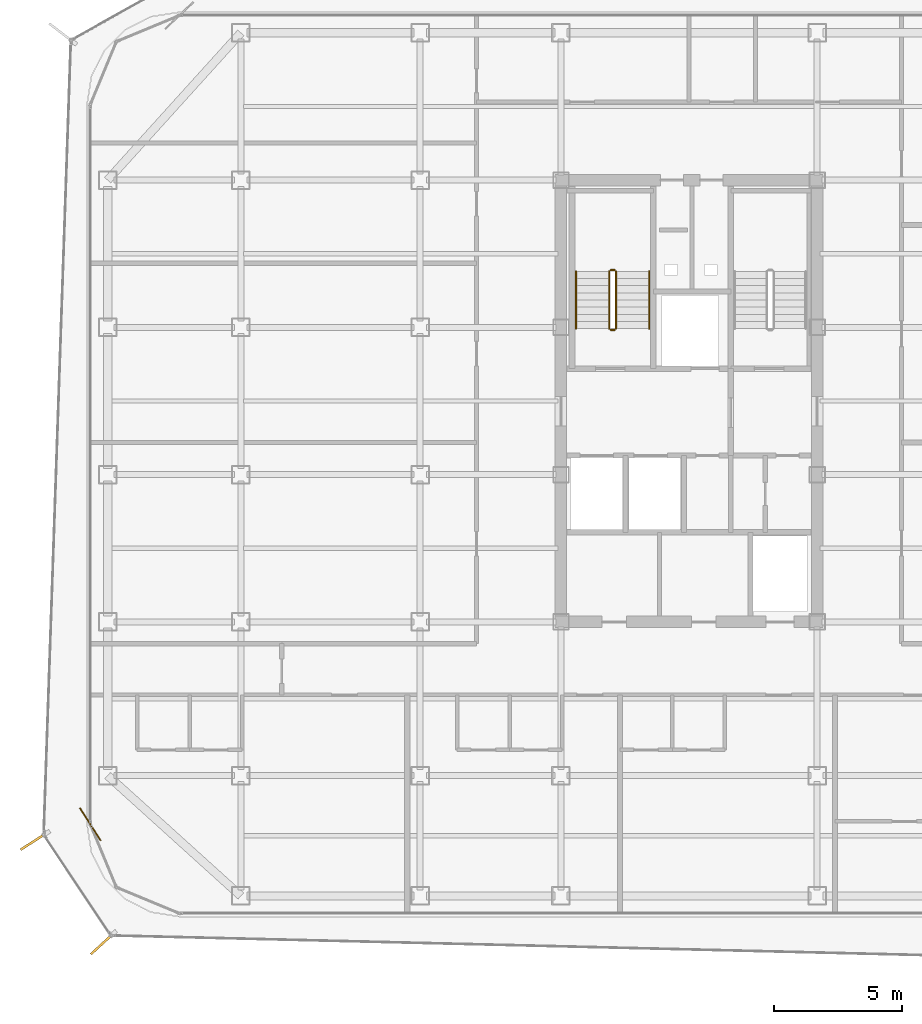
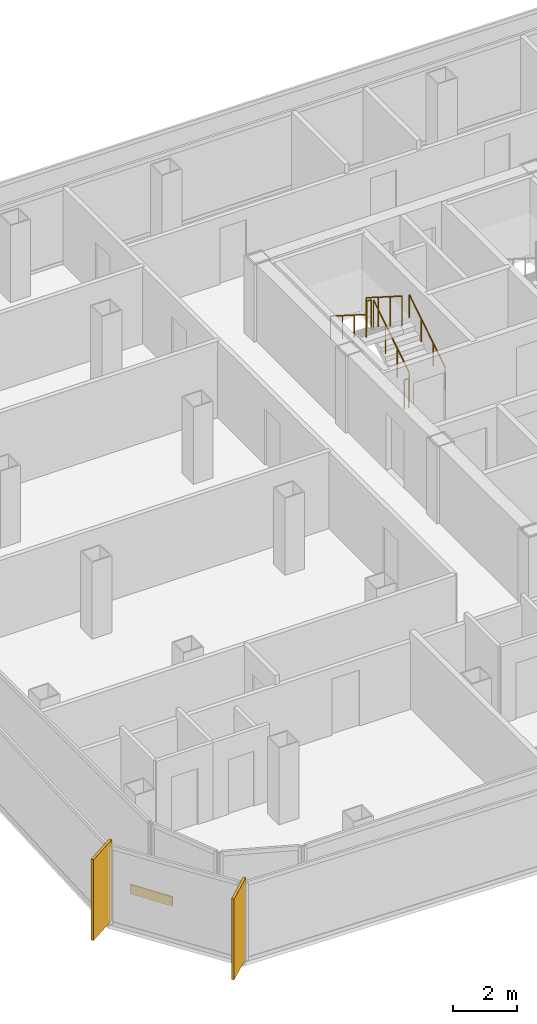
# One storey, part 13 of 15: 6 railings, 2 shading devices, 1 covering.
"""IFC4 building model written with IfcOpenShell, lengths in metres."""

from ifc_helpers import new_model, si_unit, direction, frame, origin, origin_2d, place, context, subcontext, project, spatial, rectangle, circle, extrude, source, transform, mapped, material, layer, layer_set, type_object, element, save


model = new_model("IFC4")

# Units and contexts
model_context = context("Model", 3, precision=1e-05, world=origin(), true_north=direction((0.0, 1.0)))
body_context = subcontext(model_context, "Body", "Model", "MODEL_VIEW")
ifc_project = project(units=[si_unit("LENGTHUNIT", "METRE"), si_unit("AREAUNIT", "SQUARE_METRE"), si_unit("VOLUMEUNIT", "CUBIC_METRE"), si_unit("PLANEANGLEUNIT", "RADIAN"), si_unit("MASSUNIT", "GRAM", prefix="KILO")], contexts=[model_context])

# Site, building, storey
site_placement = place(None, origin())
site = spatial("IfcSite", under=ifc_project, at=site_placement, CompositionType="ELEMENT")
building_placement = place(site_placement, origin())
building = spatial("IfcBuilding", under=site, at=building_placement, Name="Kolveth Station Tower", CompositionType="ELEMENT")
storey_placement = place(building_placement, frame((0.0, 0.0, 165.699951171875)))
storey = spatial("IfcBuildingStorey", under=building, at=storey_placement, Name="L46", CompositionType="ELEMENT", Elevation=165.699951171875)

# Railings
ifc_material_1 = material(Name="Painted Steel S355 balustrade", Category="steel")
railing_type_1 = type_object("IfcRailingType", Name="Guard_GR2", PredefinedType="BALUSTRADE", material=ifc_material_1)
railing_1_placement = place(storey_placement, frame((20.64990234375, 22.949951171875, 0.177734375)))
element("IfcRailing", 1, at=railing_1_placement, inside=storey, type_object=railing_type_1, Name="L46 ST1 stair guard 1", PredefinedType="BALUSTRADE", context=body_context, shape_type="SweptSolid", body=[
    extrude(circle(Radius=0.02392578125, at=origin_2d()), frame((0.0, 0.0, 1.1259765625), z_axis=(0.0, 0.84418770128, 0.536047689118), x_axis=(-1.0, 0.0, 0.0)), (0.0, 0.0, 1.0), 2.6533203125),
    extrude(circle(Radius=0.02099609375, at=origin_2d()), origin(), (0.0, 0.0, 1.0), 1.101806640625),
    extrude(circle(Radius=0.02099609375, at=origin_2d()), frame((0.0, 0.74658203125, 0.47412109375)), (0.0, 0.0, 1.0), 1.101806640625),
    extrude(circle(Radius=0.02099609375, at=origin_2d()), frame((0.0, 1.493408203125, 0.9482421875)), (0.0, 0.0, 1.0), 1.101806640625),
    extrude(circle(Radius=0.02099609375, at=origin_2d()), frame((0.0, 2.239990234375, 1.42236328125)), (0.0, 0.0, 1.0), 1.101806640625),
])
railing_2_placement = place(storey_placement, frame((20.60009765625, 25.239990234375, 1.60009765625)))
element("IfcRailing", 2, at=railing_2_placement, inside=storey, type_object=railing_type_1, Name="L46 ST1 stair guard 2", PredefinedType="BALUSTRADE", context=body_context, shape_type="SweptSolid", body=[
    extrude(circle(Radius=0.02392578125, at=origin_2d()), frame((0.0, 0.0, 1.1259765625), z_axis=(-1.0, 0.0, 0.0), x_axis=(0.0, -1.0, 0.0)), (0.0, 0.0, 1.0), 0.16015625),
    extrude(circle(Radius=0.02099609375, at=origin_2d()), origin(), (0.0, 0.0, 1.0), 1.101806640625),
    extrude(circle(Radius=0.02099609375, at=origin_2d()), frame((-0.16015625, 0.0, 0.0)), (0.0, 0.0, 1.0), 1.101806640625),
])
railing_3_placement = place(storey_placement, frame((20.389892578125, 25.18994140625, 1.77783203125)))
element("IfcRailing", 3, at=railing_3_placement, inside=storey, type_object=railing_type_1, Name="L46 ST1 stair guard 3", PredefinedType="BALUSTRADE", context=body_context, shape_type="SweptSolid", body=[
    extrude(circle(Radius=0.02392578125, at=origin_2d()), frame((0.0, 0.0, 1.1259765625), z_axis=(0.0, -0.8442293374, 0.53598211339), x_axis=(1.0, 0.0, 0.0)), (0.0, 0.0, 1.0), 2.6533203125),
    extrude(circle(Radius=0.02099609375, at=origin_2d()), origin(), (0.0, 0.0, 1.0), 1.101806640625),
    extrude(circle(Radius=0.02099609375, at=origin_2d()), frame((0.0, -0.74658203125, 0.47412109375)), (0.0, 0.0, 1.0), 1.101806640625),
    extrude(circle(Radius=0.02099609375, at=origin_2d()), frame((0.0, -1.493408203125, 0.947998046875)), (0.0, 0.0, 1.0), 1.101806640625),
    extrude(circle(Radius=0.02099609375, at=origin_2d()), frame((0.0, -2.239990234375, 1.422119140625)), (0.0, 0.0, 1.0), 1.101806640625),
])
railing_4_placement = place(storey_placement, frame((20.60009765625, 22.89990234375, 0.0)))
element("IfcRailing", 4, at=railing_4_placement, inside=storey, type_object=railing_type_1, Name="L46 ST1 stair guard 4", PredefinedType="BALUSTRADE", context=body_context, shape_type="SweptSolid", body=[
    extrude(circle(Radius=0.02392578125, at=origin_2d()), frame((0.0, 0.0, 1.1259765625), z_axis=(-1.0, 0.0, 0.0), x_axis=(0.0, -1.0, 0.0)), (0.0, 0.0, 1.0), 0.16015625),
    extrude(circle(Radius=0.02099609375, at=origin_2d()), origin(), (0.0, 0.0, 1.0), 1.101806640625),
    extrude(circle(Radius=0.02099609375, at=origin_2d()), frame((-0.16015625, 0.0, 0.0)), (0.0, 0.0, 1.0), 1.101806640625),
])
ifc_material_2 = material(Name="Brushed stainless steel", Category="steel")
railing_type_2 = type_object("IfcRailingType", Name="Handrail_HR1", PredefinedType="HANDRAIL", material=ifc_material_2)
railing_5_placement = place(storey_placement, frame((21.949951171875, 22.949951171875, 0.177734375)))
element("IfcRailing", 5, at=railing_5_placement, inside=storey, type_object=railing_type_2, Name="L46 ST1 stair handrail 1", PredefinedType="HANDRAIL", context=body_context, shape_type="SweptSolid", body=[
    extrude(circle(Radius=0.02392578125, at=origin_2d()), frame((0.0, 0.0, 0.8759765625), z_axis=(0.0, 0.84418770128, 0.536047689118), x_axis=(-1.0, 0.0, 0.0)), (0.0, 0.0, 1.0), 2.6533203125),
    extrude(circle(Radius=0.02099609375, at=origin_2d()), origin(), (0.0, 0.0, 1.0), 0.851806640625),
    extrude(circle(Radius=0.02099609375, at=origin_2d()), frame((0.0, 0.74658203125, 0.47412109375)), (0.0, 0.0, 1.0), 0.851806640625),
    extrude(circle(Radius=0.02099609375, at=origin_2d()), frame((0.0, 1.493408203125, 0.9482421875)), (0.0, 0.0, 1.0), 0.851806640625),
    extrude(circle(Radius=0.02099609375, at=origin_2d()), frame((0.0, 2.239990234375, 1.42236328125)), (0.0, 0.0, 1.0), 0.851806640625),
])
railing_6_placement = place(storey_placement, frame((19.090087890625, 25.18994140625, 1.77783203125)))
element("IfcRailing", 6, at=railing_6_placement, inside=storey, type_object=railing_type_2, Name="L46 ST1 stair handrail 2", PredefinedType="HANDRAIL", context=body_context, shape_type="SweptSolid", body=[
    extrude(circle(Radius=0.02392578125, at=origin_2d()), frame((0.0, 0.0, 0.8759765625), z_axis=(0.0, -0.8442293374, 0.53598211339), x_axis=(1.0, 0.0, 0.0)), (0.0, 0.0, 1.0), 2.6533203125),
    extrude(circle(Radius=0.02099609375, at=origin_2d()), origin(), (0.0, 0.0, 1.0), 0.851806640625),
    extrude(circle(Radius=0.02099609375, at=origin_2d()), frame((0.0, -0.74658203125, 0.47412109375)), (0.0, 0.0, 1.0), 0.851806640625),
    extrude(circle(Radius=0.02099609375, at=origin_2d()), frame((0.0, -1.493408203125, 0.947998046875)), (0.0, 0.0, 1.0), 0.851806640625),
    extrude(circle(Radius=0.02099609375, at=origin_2d()), frame((0.0, -2.239990234375, 1.422119140625)), (0.0, 0.0, 1.0), 0.851806640625),
])

# Shading devices
ifc_material_3 = material(Name="Black anodized aluminium 6063-T6", Category="aluminium")
shading_device_type = type_object("IfcShadingDeviceType", Name="FIN_VF1", PredefinedType="USERDEFINED", material=ifc_material_3)
shared_shape_1 = source(origin(), body_context, "Body", "SweptSolid", [
    extrude(rectangle(XDim=1.25, YDim=0.090087890625, at=origin_2d()), origin(), (0.0, 0.0, 1.0), 3.10009765625),
])
for number, where, z_axis, x_axis, name in (
    (7, (-2.072021484375, 2.94189453125, 0.0), (0.0, 0.0, 1.0), (-0.842170181815, -0.539211818177, 0.0), "L46 Dark-Aluminium Solar Fin 7"),
    (8, (0.60302734375, -1.053955078125, 0.0), (0.0, 0.0, 1.0), (-0.735387860781, -0.67764643747, 0.0), "L46 Dark-Aluminium Solar Fin 8"),
):
    element("IfcShadingDevice", number, at=place(storey_placement, frame(where, z_axis=z_axis, x_axis=x_axis)), inside=storey, type_object=shading_device_type, Name=name, ObjectType="FIN", PredefinedType="USERDEFINED", context=body_context, shape_type="MappedRepresentation", body=[
        mapped(shared_shape_1, transform((0.0, 0.0, 0.0), x_axis=(1.0, 0.0, 0.0), y_axis=(0.0, 1.0, 0.0), z_axis=(0.0, 0.0, 1.0), scale=1.0)),
    ])

# Covering
ifc_material_4 = material(Name="Charcoal anodized aluminium spandrel cladding", Category="aluminium")
ifc_layer = layer(ifc_material_4, 0.044921875)
ifc_layer_set = layer_set([ifc_layer], Name="Charcoal anodized aluminium spandrel cladding")
covering_type = type_object("IfcCoveringType", Name="Clad_CD1", PredefinedType="CLADDING", material=ifc_layer_set)
shared_shape_2 = source(origin(), body_context, "Body", "SweptSolid", [
    extrude(rectangle(XDim=1.5, YDim=0.044921875, at=origin_2d()), origin(), (0.0, 0.0, 1.0), 0.360107421875),
])
covering_placement = place(storey_placement, frame((0.1201171875, 3.60009765625, 0.0), z_axis=(0.0, 0.0, 1.0), x_axis=(0.539211818177, -0.842170181815, 0.0)))
element("IfcCovering", 9, at=covering_placement, inside=storey, type_object=covering_type, Name="L46 Spandrel Edge Cladding 7", PredefinedType="CLADDING", context=body_context, shape_type="MappedRepresentation", body=[
    mapped(shared_shape_2, transform((0.0, 0.0, 0.0), x_axis=(1.0, 0.0, 0.0), y_axis=(0.0, 1.0, 0.0), z_axis=(0.0, 0.0, 1.0), scale=1.0)),
])

save(model, "model.ifc")
